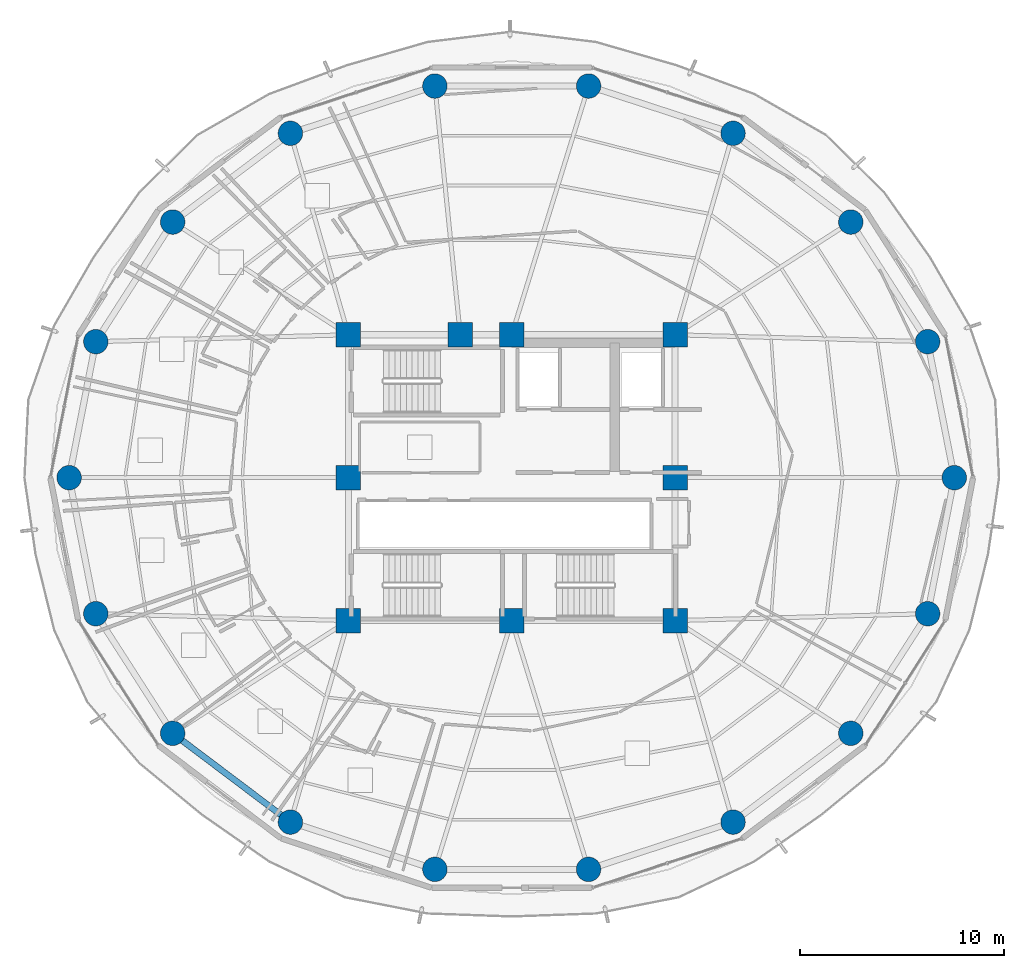
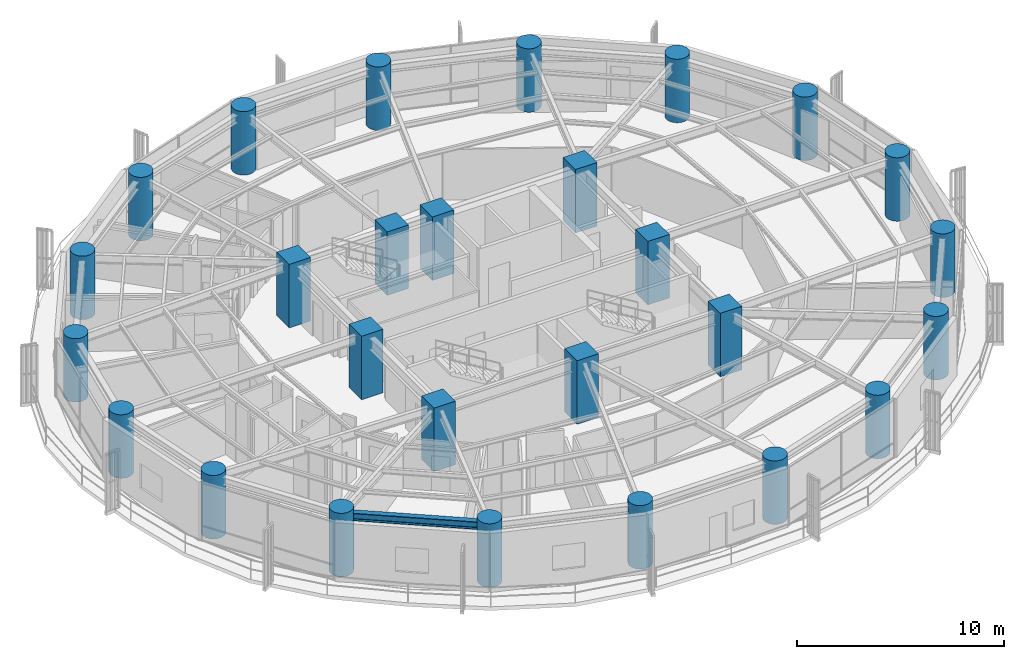
# One storey, part 1 of 28: 27 columns, 1 beam.
"""IFC4 building model written with IfcOpenShell, lengths in metres."""

from ifc_helpers import new_model, si_unit, direction, frame, origin, origin_2d, place, context, subcontext, project, spatial, rectangle, circle, i_section, extrude, material, material_profile, profile_set, type_object, element, save


model = new_model("IFC4")

# Units and contexts
model_context = context("Model", 3, precision=1e-05, world=origin(), true_north=direction((0.0, 1.0)))
body_context = subcontext(model_context, "Body", "Model", "MODEL_VIEW")
ifc_project = project(units=[si_unit("LENGTHUNIT", "METRE"), si_unit("AREAUNIT", "SQUARE_METRE"), si_unit("VOLUMEUNIT", "CUBIC_METRE"), si_unit("PLANEANGLEUNIT", "RADIAN"), si_unit("MASSUNIT", "GRAM", prefix="KILO")], contexts=[model_context])

# Site, building, storey
site_placement = place(None, origin())
site = spatial("IfcSite", under=ifc_project, at=site_placement, CompositionType="ELEMENT")
building_placement = place(site_placement, origin())
building = spatial("IfcBuilding", under=site, at=building_placement, Name="Kelanora Arch Commons", CompositionType="ELEMENT")
storey_placement = place(building_placement, frame((0.0, 0.0, 139.35009765625)))
storey = spatial("IfcBuildingStorey", under=building, at=storey_placement, Name="L35", CompositionType="ELEMENT", Elevation=139.35009765625)

# Columns
ifc_material_1 = material(Name="Concrete C50/60", Category="concrete")
ifc_material_profile_1 = material_profile(ifc_material_1, circle(Radius=0.60009765625, at=origin_2d()), Name="RCC1200")
ifc_profile_set_1 = profile_set([ifc_material_profile_1], Name="Concrete C50/60")
column_type_1 = type_object("IfcColumnType", Name="COL-PERIM-Z3", PredefinedType="COLUMN", material=ifc_profile_set_1)
for number, where, z_axis, x_axis, name in (
    (1, (95.679931640625, 58.0, 0.0), (0.0, 0.0, 1.0), (1.0, 0.0, 0.0), "Perimeter Ring Column CP-00 L35"),
    (2, (94.37255859375, 64.66259765625, 0.0), (0.0, 0.0, 1.0), (1.0, 0.0, 0.0), "Perimeter Ring Column CP-02 L35"),
    (3, (90.60791015625, 70.521484375, 0.0), (0.0, 0.0, 1.0), (1.0, 0.0, 0.0), "Perimeter Ring Column CP-04 L35"),
    (4, (84.840087890625, 74.8701171875, 0.0), (0.0, 0.0, 1.0), (1.0, 0.0, 0.0), "Perimeter Ring Column CP-06 L35"),
    (5, (77.7646484375, 77.18408203125, 0.0), (0.0, 0.0, 1.0), (1.0, 0.0, 0.0), "Perimeter Ring Column CP-08 L35"),
    (6, (70.2353515625, 77.18408203125, 0.0), (0.0, 0.0, 1.0), (1.0, 0.0, 0.0), "Perimeter Ring Column CP-10 L35"),
    (7, (63.159912109375, 74.8701171875, 0.0), (0.0, 0.0, 1.0), (1.0, 0.0, 0.0), "Perimeter Ring Column CP-12 L35"),
    (8, (57.39208984375, 70.521484375, 0.0), (0.0, 0.0, 1.0), (1.0, 0.0, 0.0), "Perimeter Ring Column CP-14 L35"),
    (9, (53.62744140625, 64.66259765625, 0.0), (0.0, 0.0, 1.0), (1.0, 0.0, 0.0), "Perimeter Ring Column CP-16 L35"),
    (10, (52.320068359375, 58.0, 0.0), (0.0, 0.0, 1.0), (1.0, 0.0, 0.0), "Perimeter Ring Column CP-18 L35"),
    (11, (53.62744140625, 51.33740234375, 0.0), (0.0, 0.0, 1.0), (1.0, 0.0, 0.0), "Perimeter Ring Column CP-20 L35"),
    (12, (57.39208984375, 45.478515625, 0.0), (0.0, 0.0, 1.0), (1.0, 0.0, 0.0), "Perimeter Ring Column CP-22 L35"),
    (13, (63.159912109375, 41.1298828125, 0.0), (0.0, 0.0, 1.0), (1.0, 0.0, 0.0), "Perimeter Ring Column CP-24 L35"),
    (14, (70.2353515625, 38.81591796875, 0.0), (0.0, 0.0, 1.0), (1.0, 0.0, 0.0), "Perimeter Ring Column CP-26 L35"),
    (15, (77.7646484375, 38.81591796875, 0.0), (0.0, 0.0, 1.0), (1.0, 0.0, 0.0), "Perimeter Ring Column CP-28 L35"),
    (16, (84.840087890625, 41.1298828125, 0.0), (0.0, 0.0, 1.0), (1.0, 0.0, 0.0), "Perimeter Ring Column CP-30 L35"),
    (17, (90.60791015625, 45.478515625, 0.0), (0.0, 0.0, 1.0), (1.0, 0.0, 0.0), "Perimeter Ring Column CP-32 L35"),
    (18, (94.37255859375, 51.33740234375, 0.0), (0.0, 0.0, 1.0), (1.0, 0.0, 0.0), "Perimeter Ring Column CP-34 L35"),
):
    element("IfcColumn", number, at=place(storey_placement, frame(where, z_axis=z_axis, x_axis=x_axis)), inside=storey, type_object=column_type_1, Name=name, PredefinedType="COLUMN", context=body_context, shape_type="SweptSolid", body=[
        extrude(circle(Radius=0.60009765625, at=origin_2d()), origin(), (0.0, 0.0, 1.0), 3.75),
    ])
ifc_material_2 = material(Name="Concrete C60/75", Category="concrete")
ifc_material_profile_2 = material_profile(ifc_material_2, rectangle(XDim=1.199951171875, YDim=1.199951171875, at=origin_2d()), Name="RC1200x1200")
ifc_profile_set_2 = profile_set([ifc_material_profile_2], Name="Concrete C60/75")
column_type_2 = type_object("IfcColumnType", Name="COL-PIL-MID", PredefinedType="PILASTER", material=ifc_profile_set_2)
for number, where, z_axis, x_axis, name in (
    (19, (66.0, 51.0, 0.0), (0.0, 0.0, 1.0), (1.0, 0.0, 0.0), "Core Pilaster Column CP1 L35"),
    (20, (74.0, 51.0, 0.0), (0.0, 0.0, 1.0), (1.0, 0.0, 0.0), "Core Pilaster Column CP2 L35"),
    (21, (82.0, 51.0, 0.0), (0.0, 0.0, 1.0), (1.0, 0.0, 0.0), "Core Pilaster Column CP3 L35"),
    (22, (82.0, 58.0, 0.0), (0.0, 0.0, 1.0), (1.0, 0.0, 0.0), "Core Pilaster Column CP4 L35"),
    (23, (82.0, 65.0, 0.0), (0.0, 0.0, 1.0), (1.0, 0.0, 0.0), "Core Pilaster Column CP5 L35"),
    (24, (74.0, 65.0, 0.0), (0.0, 0.0, 1.0), (1.0, 0.0, 0.0), "Core Pilaster Column CP6 L35"),
    (25, (71.47998046875, 65.0, 0.0), (0.0, 0.0, 1.0), (1.0, 0.0, 0.0), "Core Pilaster Column CP9 L35"),
    (26, (66.0, 65.0, 0.0), (0.0, 0.0, 1.0), (1.0, 0.0, 0.0), "Core Pilaster Column CP7 L35"),
    (27, (66.0, 58.0, 0.0), (0.0, 0.0, 1.0), (1.0, 0.0, 0.0), "Core Pilaster Column CP8 L35"),
):
    element("IfcColumn", number, at=place(storey_placement, frame(where, z_axis=z_axis, x_axis=x_axis)), inside=storey, type_object=column_type_2, Name=name, PredefinedType="PILASTER", context=body_context, shape_type="SweptSolid", body=[
        extrude(rectangle(XDim=1.199951171875, YDim=1.199951171875, at=origin_2d()), origin(), (0.0, 0.0, 1.0), 3.75),
    ])

# Beam
ifc_material_3 = material(Name="Steel S355", Category="steel")
ifc_material_profile_3 = material_profile(ifc_material_3, i_section(OverallWidth=0.300048828125, OverallDepth=0.449951171875, WebThickness=0.013916015625, FlangeThickness=0.02587890625, FilletRadius=0.027099609375, at=origin_2d()), Name="HEB450")
ifc_profile_set_3 = profile_set([ifc_material_profile_3], Name="Steel S355")
beam_type = type_object("IfcBeamType", Name="BM-SPN-Z3", PredefinedType="SPANDREL", material=ifc_profile_set_3)
beam_placement = place(storey_placement, frame((57.39208984375, 45.478515625, 3.264892578125), z_axis=(0.798484645564, -0.60201517489, 0.0), x_axis=(0.60201517489, 0.798484645564, 0.0)))
element("IfcBeam", 28, at=beam_placement, inside=storey, type_object=beam_type, Name="Perimeter Spandrel Beam BS-22 L35", PredefinedType="SPANDREL", context=body_context, shape_type="SweptSolid", body=[
    extrude(i_section(OverallWidth=0.300048828125, OverallDepth=0.449951171875, WebThickness=0.013916015625, FlangeThickness=0.02587890625, FilletRadius=0.027099609375, at=origin_2d()), origin(), (0.0, 0.0, 1.0), 7.223388671875),
])

save(model, "model.ifc")
